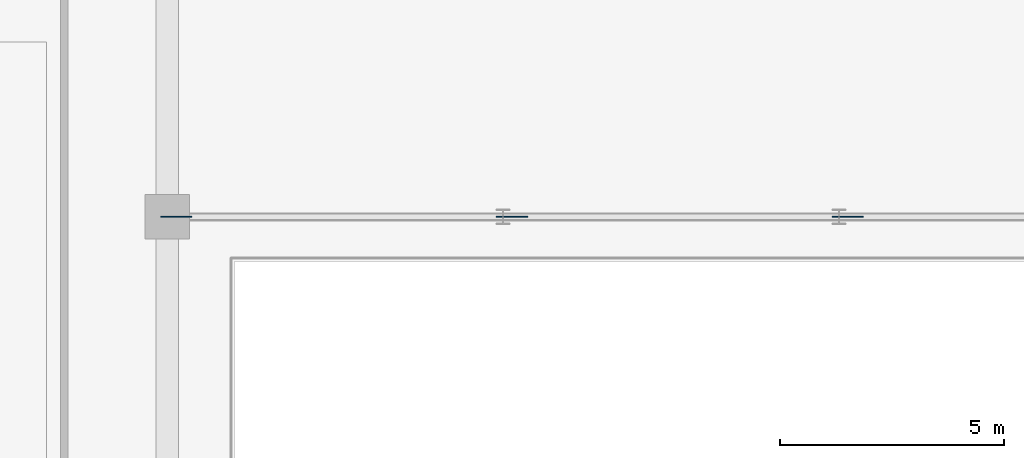
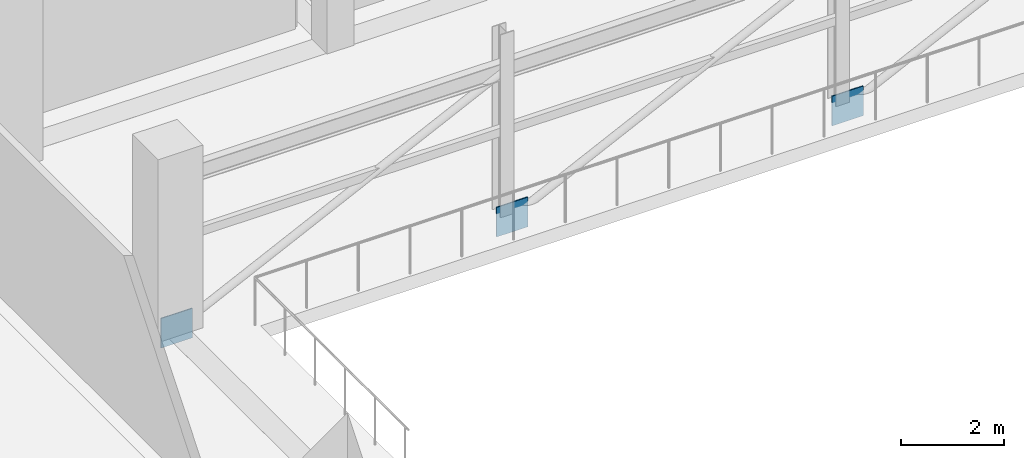
# One storey, part 41 of 68: 3 plates.
"""IFC4 building model written with IfcOpenShell, lengths in metres."""

from ifc_helpers import new_model, si_unit, direction, frame, origin, origin_2d, place, context, subcontext, project, spatial, rectangle, extrude, material, layer, layer_set, type_object, element, save


model = new_model("IFC4")

# Units and contexts
model_context = context("Model", 3, precision=1e-05, world=origin(), true_north=direction((0.0, 1.0)))
body_context = subcontext(model_context, "Body", "Model", "MODEL_VIEW")
ifc_project = project(units=[si_unit("LENGTHUNIT", "METRE"), si_unit("AREAUNIT", "SQUARE_METRE"), si_unit("VOLUMEUNIT", "CUBIC_METRE"), si_unit("PLANEANGLEUNIT", "RADIAN"), si_unit("MASSUNIT", "GRAM", prefix="KILO")], contexts=[model_context])

# Site, building, storey
site_placement = place(None, origin())
site = spatial("IfcSite", under=ifc_project, at=site_placement, CompositionType="ELEMENT")
building_placement = place(site_placement, origin())
building = spatial("IfcBuilding", under=site, at=building_placement, Name="Akrevak Sports Hall", CompositionType="ELEMENT")
storey_placement = place(building_placement, frame((0.0, 0.0, 9.39990234375)))
storey = spatial("IfcBuildingStorey", under=building, at=storey_placement, Name="L02", CompositionType="ELEMENT", Elevation=9.39990234375)

# Plates
ifc_material = material(Name="Steel S355", Category="steel")
ifc_layer = layer(ifc_material, 0.02392578125, Name="Steel S355")
ifc_layer_set = layer_set([ifc_layer], Name="Steel S355")
plate_type = type_object("IfcPlateType", Name="STR-PLT-GUSSET-24", PredefinedType="SHEET", material=ifc_layer_set)
for number, where, z_axis, x_axis, name in (
    (1, (115.699951171875, 48.60009765625, -0.5498046875), (0.0, 0.0, 1.0), (1.0, 0.0, 0.0), "Steel Gusset Plate PL-G1-L02-1"),
    (2, (123.199951171875, 48.60009765625, -0.5498046875), (0.0, 0.0, 1.0), (1.0, 0.0, 0.0), "Steel Gusset Plate PL-G1-L02-2"),
    (3, (130.699951171875, 48.60009765625, -0.5498046875), (0.0, 0.0, 1.0), (1.0, 0.0, 0.0), "Steel Gusset Plate PL-G1-L02-3"),
):
    element("IfcPlate", number, at=place(storey_placement, frame(where, z_axis=z_axis, x_axis=x_axis)), inside=storey, type_object=plate_type, Name=name, PredefinedType="SHEET", context=body_context, shape_type="SweptSolid", body=[
        extrude(rectangle(XDim=0.699951171875, YDim=0.02392578125, at=origin_2d()), origin(), (0.0, 0.0, 1.0), 0.699951171875),
    ])

save(model, "model.ifc")
